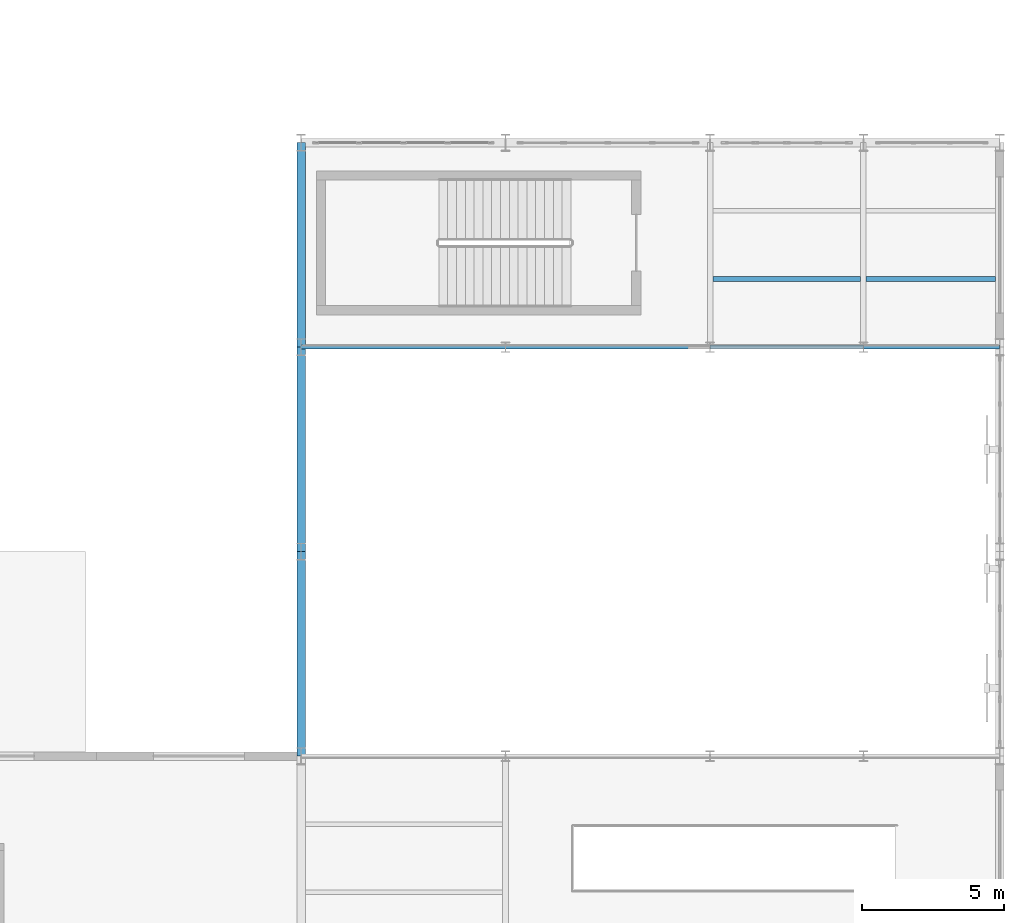
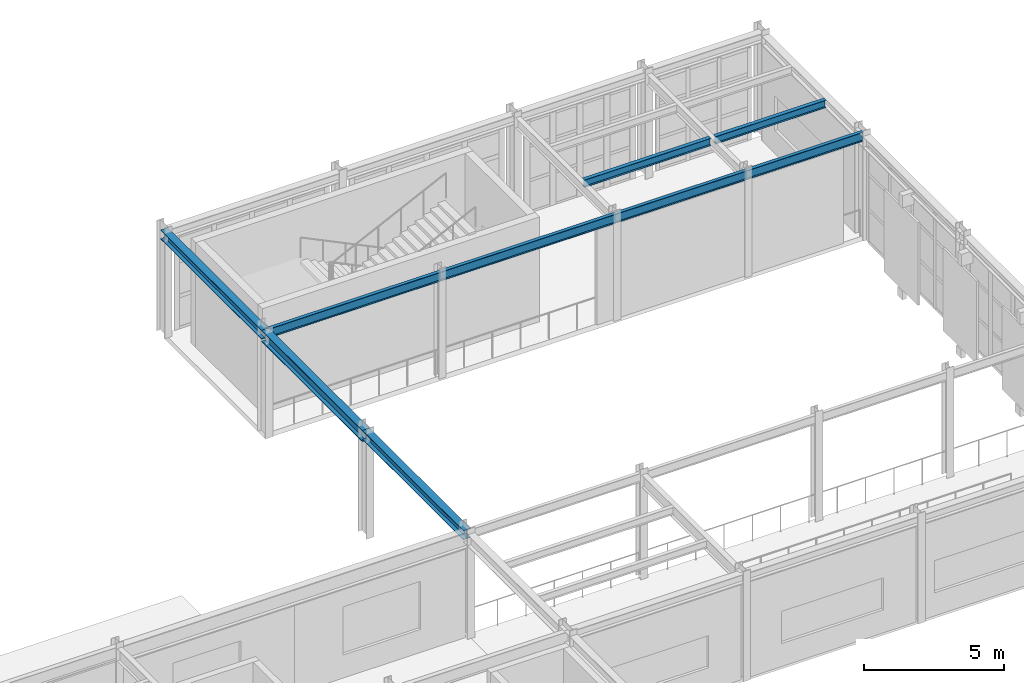
# One storey, part 58 of 121: 9 beams.
"""IFC4 building model written with IfcOpenShell, lengths in metres."""

import ifcopenshell
import ifcopenshell.guid

model = None  # the IFC model being written
_history = None  # IfcOwnerHistory: only IFC2X3 demands one
_inside = {}  # id of a spatial element -> (the spatial element, [elements in it])
_under = {}  # id of a project, library or spatial element -> (it, [spatial elements below it])
_declared = {}  # id of a project -> (the project, [libraries it declares])
_typed = {}  # id of a type object -> (the type object, [elements of that type])
_made_of = {}  # id of a material, layer set ... -> (it, [elements and type objects made of it])


def new_model(schema):
    """Start an empty IFC model of exactly this schema.

    Asked for "IFC4X3", IfcOpenShell would pick the latest addendum, in which some entities
    have other attributes; the version numbers below select the first issue.
    IFC2X3 requires an IfcOwnerHistory on every rooted entity: one is made here for all.
    """
    global model, _history
    if schema == "IFC4X3":
        model = ifcopenshell.file(schema_version=(4, 3, 0, 0))
    else:
        model = ifcopenshell.file(schema=schema)
    _inside.clear()
    _under.clear()
    _declared.clear()
    _typed.clear()
    _made_of.clear()
    _history = None
    if model.schema == "IFC2X3":
        org = make("IfcOrganization", Name="unknown")
        user = make(
            "IfcPersonAndOrganization",
            ThePerson=make("IfcPerson", FamilyName="unknown"),
            TheOrganization=org,
        )
        app = make(
            "IfcApplication",
            ApplicationDeveloper=org,
            Version="unknown",
            ApplicationFullName="unknown",
            ApplicationIdentifier="unknown",
        )
        _history = make(
            "IfcOwnerHistory",
            OwningUser=user,
            OwningApplication=app,
            ChangeAction="ADDED",
            CreationDate=0,
        )
    return model


def make(cls, **values):
    """One entity of the class cls with the attributes given. An attribute that is None is left unset."""
    return model.create_entity(
        cls, **{name: value for name, value in values.items() if value is not None}
    )


def rooted(cls, **values):
    """An entity with a GlobalId (a new one), such as an element, a storey or a relation."""
    return make(cls, GlobalId=ifcopenshell.guid.new(), OwnerHistory=_history, **values)


def si_unit(unit_type, name, prefix=None):
    """IfcSIUnit, for example si_unit("LENGTHUNIT", "METRE", prefix="MILLI")."""
    return make("IfcSIUnit", UnitType=unit_type, Prefix=prefix, Name=name)


def assignment(units):
    """IfcUnitAssignment: the units of a project."""
    return None if units is None else make("IfcUnitAssignment", Units=units)


def point(xyz):
    """IfcCartesianPoint."""
    return None if xyz is None else make("IfcCartesianPoint", Coordinates=xyz)


def direction(xyz):
    """IfcDirection."""
    return None if xyz is None else make("IfcDirection", DirectionRatios=xyz)


def frame(location, z_axis=None, x_axis=None):
    """IfcAxis2Placement3D, a coordinate frame: its origin and axes. An axis left out is left unset."""
    return make(
        "IfcAxis2Placement3D",
        Location=point(location),
        Axis=direction(z_axis),
        RefDirection=direction(x_axis),
    )


def frame_2d(location, x_axis=None):
    """IfcAxis2Placement2D, a coordinate frame in the plane: its origin and x axis."""
    return make(
        "IfcAxis2Placement2D", Location=point(location), RefDirection=direction(x_axis)
    )


def origin():
    """The frame at (0, 0, 0) with its axes left unset."""
    return frame((0.0, 0.0, 0.0))


def origin_2d():
    """The frame at (0, 0) in the plane with its x axis left unset."""
    return frame_2d((0.0, 0.0))


def place(relative_to, where):
    """IfcLocalPlacement: puts the frame where relative to a parent placement (None: the world)."""
    return make(
        "IfcLocalPlacement", PlacementRelTo=relative_to, RelativePlacement=where
    )


def context(
    kind, dimensions, precision=None, world=None, true_north=None, identifier=None
):
    """IfcGeometricRepresentationContext, for example the 3D "Model" context."""
    return make(
        "IfcGeometricRepresentationContext",
        ContextIdentifier=identifier,
        ContextType=kind,
        CoordinateSpaceDimension=dimensions,
        Precision=precision,
        WorldCoordinateSystem=world,
        TrueNorth=true_north,
    )


def subcontext(parent, identifier, kind, view, scale=None):
    """IfcGeometricRepresentationSubContext, for example "Body" below "Model"."""
    return make(
        "IfcGeometricRepresentationSubContext",
        ContextIdentifier=identifier,
        ContextType=kind,
        ParentContext=parent,
        TargetScale=scale,
        TargetView=view,
    )


def project(units=None, contexts=None):
    """IfcProject with its units and contexts."""
    return rooted(
        "IfcProject",
        Name="project",
        RepresentationContexts=contexts,
        UnitsInContext=assignment(units),
    )


def spatial(cls, under=None, at=None, **own):
    """A site, building, storey or space (cls), placed at a placement, below another one or the project."""
    s = rooted(cls, ObjectPlacement=at, **own)
    if under is not None:
        _under.setdefault(under.id(), (under, []))[1].append(s)
    return s


def profile(cls, at=None, kind="AREA", **sizes):
    """A parametric profile (cls). Its sizes go by their IFC names, for example OverallWidth=200.0."""
    return make(cls, ProfileType=kind, Position=at, **sizes)


def i_section(**sizes):
    """IfcIShapeProfileDef."""
    return profile("IfcIShapeProfileDef", **sizes)


def extrude(swept, where, along, depth):
    """IfcExtrudedAreaSolid: the profile swept, set in the frame where, extruded along a direction by depth."""
    return make(
        "IfcExtrudedAreaSolid",
        SweptArea=swept,
        Position=where,
        ExtrudedDirection=direction(along),
        Depth=depth,
    )


def shape(context_of_items, identifier, shape_type, items):
    """IfcShapeRepresentation: the items that make up one representation, for example the "Body"."""
    return make(
        "IfcShapeRepresentation",
        ContextOfItems=context_of_items,
        RepresentationIdentifier=identifier,
        RepresentationType=shape_type,
        Items=items,
    )


def material(Name=None, Category=None):
    """IfcMaterial."""
    return make("IfcMaterial", Name=Name, Category=Category)


def material_profile(
    of_material, cross_section, Name=None, Category=None, Priority=None
):
    """IfcMaterialProfile: a cross section and its material."""
    return make(
        "IfcMaterialProfile",
        Name=Name,
        Material=of_material,
        Profile=cross_section,
        Priority=Priority,
        Category=Category,
    )


def profile_set(profiles, Name=None, composite=None):
    """IfcMaterialProfileSet."""
    return make(
        "IfcMaterialProfileSet",
        Name=Name,
        MaterialProfiles=profiles,
        CompositeProfile=composite,
    )


def made_of(thing, what):
    """Note that an element or type object is made of a material, layer set ...; save() writes the relation."""
    if what is not None:
        _made_of.setdefault(what.id(), (what, []))[1].append(thing)
    return thing


def type_object(cls, material=None, **own):
    """A type object (cls), such as IfcWallType, which elements share."""
    return made_of(rooted(cls, **own), material)


def element(
    cls,
    number,
    at=None,
    inside=None,
    cuts=None,
    type_object=None,
    material=None,
    context=None,
    identifier="Body",
    shape_type=None,
    held_by="IfcProductDefinitionShape",
    body=None,
    shapes=None,
    **own,
):
    """One element of the class cls, such as IfcWall. Its Tag is "e" and its number.

    at: its placement. inside: the storey or other place that contains it. cuts: it is an
    opening in that element (IfcRelVoidsElement). A single representation is given by context,
    identifier, shape_type and body (its items); several are given by shapes. held_by: the class
    of the entity that holds the representations. save() writes the other relations.
    """
    e = rooted(cls, Tag="e%d" % number, ObjectPlacement=at, **own)
    if body is not None:
        shapes = [shape(context, identifier, shape_type, body)]
    if shapes is not None:
        e.Representation = make(held_by, Representations=shapes)
    if inside is not None:
        _inside.setdefault(inside.id(), (inside, []))[1].append(e)
    if cuts is not None:
        rooted(
            "IfcRelVoidsElement", RelatingBuildingElement=cuts, RelatedOpeningElement=e
        )
    if type_object is not None:
        _typed.setdefault(type_object.id(), (type_object, []))[1].append(e)
    return made_of(e, material)


def aggregate(whole, parts):
    """IfcRelAggregates: a whole, such as a stair, and the parts it consists of."""
    return rooted("IfcRelAggregates", RelatingObject=whole, RelatedObjects=parts)


def save(model, path):
    """Write the relations noted so far, then the file.

    IfcRelAggregates (storeys below a building ...), IfcRelContainedInSpatialStructure (elements
    in a storey), IfcRelDefinesByType, IfcRelAssociatesMaterial and IfcRelDeclares: one each for
    every whole, place, type object, material and project.
    """
    for whole, parts in _under.values():
        aggregate(whole, parts)
    for where, things in _inside.values():
        rooted(
            "IfcRelContainedInSpatialStructure",
            RelatedElements=things,
            RelatingStructure=where,
        )
    for kind, things in _typed.values():
        rooted("IfcRelDefinesByType", RelatedObjects=things, RelatingType=kind)
    for what, things in _made_of.values():
        rooted("IfcRelAssociatesMaterial", RelatedObjects=things, RelatingMaterial=what)
    for by, libraries in _declared.values():
        rooted("IfcRelDeclares", RelatingContext=by, RelatedDefinitions=libraries)
    model.write(path)


model = new_model("IFC4")

# Units and contexts
model_context = context("Model", 3, precision=1e-05, world=origin(), true_north=direction((0.0, 1.0)))
body_context = subcontext(model_context, "Body", "Model", "MODEL_VIEW")
ifc_project = project(units=[si_unit("LENGTHUNIT", "METRE"), si_unit("AREAUNIT", "SQUARE_METRE"), si_unit("VOLUMEUNIT", "CUBIC_METRE"), si_unit("PLANEANGLEUNIT", "RADIAN"), si_unit("MASSUNIT", "GRAM", prefix="KILO")], contexts=[model_context])

# Site, building, storey
site_placement = place(None, origin())
site = spatial("IfcSite", under=ifc_project, at=site_placement, CompositionType="ELEMENT")
building_placement = place(site_placement, origin())
building = spatial("IfcBuilding", under=site, at=building_placement, Name="Solvadek Multi-Sports Hall", CompositionType="ELEMENT")
storey_placement = place(building_placement, frame((0.0, 0.0, 4.800048828125)))
storey = spatial("IfcBuildingStorey", under=building, at=storey_placement, Name="L01", CompositionType="ELEMENT", Elevation=4.800048828125)

# Beams
ifc_material = material(Name="Steel E350 (350 MPa)", Category="steel")
ifc_material_profile_1 = material_profile(ifc_material, i_section(OverallWidth=0.139892578125, OverallDepth=0.39990234375, WebThickness=0.0087890625, FlangeThickness=0.01611328125, at=origin_2d()), Name="ISMB 400")
ifc_profile_set_1 = profile_set([ifc_material_profile_1], Name="Steel E350 (350 MPa)")
beam_type_1 = type_object("IfcBeamType", Name="STR-BM-ISMB400", PredefinedType="BEAM", material=ifc_profile_set_1)
for number, where, z_axis, x_axis, name in (
    (1, (136.800048828125, 63.60009765625, 4.35986328125), (1.0, 0.0, 0.0), (0.0, 1.0, 0.0), "L01 Girder B-10 #1042"),
    (2, (144.0, 63.60009765625, 4.35986328125), (1.0, 0.0, 0.0), (0.0, 1.0, 0.0), "L01 Girder B-10 #1043"),
):
    element("IfcBeam", number, at=place(storey_placement, frame(where, z_axis=z_axis, x_axis=x_axis)), inside=storey, type_object=beam_type_1, Name=name, PredefinedType="BEAM", context=body_context, shape_type="SweptSolid", body=[
        extrude(i_section(OverallWidth=0.139892578125, OverallDepth=0.39990234375, WebThickness=0.0087890625, FlangeThickness=0.01611328125, at=origin_2d()), origin(), (0.0, 0.0, 1.0), 7.199951171875),
    ])
beam_1_placement = place(storey_placement, frame((151.199951171875, 63.60009765625, 4.35986328125), z_axis=(1.0, 0.0, 0.0), x_axis=(0.0, 1.0, 0.0)))
element("IfcBeam", 3, at=beam_1_placement, inside=storey, type_object=beam_type_1, Name="L01 Girder B-10 #1044", PredefinedType="BEAM", context=body_context, shape_type="SweptSolid", body=[
    extrude(i_section(OverallWidth=0.139892578125, OverallDepth=0.39990234375, WebThickness=0.0087890625, FlangeThickness=0.01611328125, at=origin_2d()), origin(), (0.0, 0.0, 1.0), 5.400146484375),
])
beam_2_placement = place(storey_placement, frame((156.60009765625, 63.60009765625, 4.35986328125), z_axis=(1.0, 0.0, 0.0), x_axis=(0.0, 1.0, 0.0)))
element("IfcBeam", 4, at=beam_2_placement, inside=storey, type_object=beam_type_1, Name="L01 Girder B-10 #1045", PredefinedType="BEAM", context=body_context, shape_type="SweptSolid", body=[
    extrude(i_section(OverallWidth=0.139892578125, OverallDepth=0.39990234375, WebThickness=0.0087890625, FlangeThickness=0.01611328125, at=origin_2d()), origin(), (0.0, 0.0, 1.0), 4.7998046875),
])
ifc_material_profile_2 = material_profile(ifc_material, i_section(OverallWidth=0.159912109375, OverallDepth=0.330078125, WebThickness=0.007568359375, FlangeThickness=0.011474609375, at=origin_2d()), Name="NPB 330")
ifc_profile_set_2 = profile_set([ifc_material_profile_2], Name="Steel E350 (350 MPa)")
beam_type_2 = type_object("IfcBeamType", Name="STR-JST-NPB330", PredefinedType="JOIST", material=ifc_profile_set_2)
beam_3_placement = place(storey_placement, frame((151.294921875, 66.0, 4.39501953125), z_axis=(1.0, 0.0, 0.0), x_axis=(0.0, 1.0, 0.0)))
element("IfcBeam", 5, at=beam_3_placement, inside=storey, type_object=beam_type_2, Name="L01 Composite Joist J-02 #678", PredefinedType="JOIST", context=body_context, shape_type="SweptSolid", body=[
    extrude(i_section(OverallWidth=0.159912109375, OverallDepth=0.330078125, WebThickness=0.007568359375, FlangeThickness=0.011474609375, at=origin_2d()), origin(), (0.0, 0.0, 1.0), 5.2099609375),
])
beam_4_placement = place(storey_placement, frame((156.695068359375, 66.0, 4.39501953125), z_axis=(1.0, 0.0, 0.0), x_axis=(0.0, 1.0, 0.0)))
element("IfcBeam", 6, at=beam_4_placement, inside=storey, type_object=beam_type_2, Name="L01 Composite Joist J-02 #680", PredefinedType="JOIST", context=body_context, shape_type="SweptSolid", body=[
    extrude(i_section(OverallWidth=0.159912109375, OverallDepth=0.330078125, WebThickness=0.007568359375, FlangeThickness=0.011474609375, at=origin_2d()), origin(), (0.0, 0.0, 1.0), 4.554931640625),
])
ifc_material_profile_3 = material_profile(ifc_material, i_section(OverallWidth=0.300048828125, OverallDepth=0.39990234375, WebThickness=0.013427734375, FlangeThickness=0.02392578125, at=origin_2d()), Name="WPB 400")
ifc_profile_set_3 = profile_set([ifc_material_profile_3], Name="Steel E350 (350 MPa)")
beam_type_3 = type_object("IfcBeamType", Name="STR-SPN-WPB400", PredefinedType="SPANDREL", material=ifc_profile_set_3)
for number, where, z_axis, x_axis, name in (
    (7, (136.800048828125, 49.199951171875, 4.35986328125), (0.0, 1.0, 0.0), (-1.0, 0.0, 0.0), "L01 Girder SP-02 #1299"),
    (8, (136.800048828125, 63.60009765625, 4.35986328125), (0.0, 1.0, 0.0), (-1.0, 0.0, 0.0), "L01 Girder SP-02 #1301"),
):
    element("IfcBeam", number, at=place(storey_placement, frame(where, z_axis=z_axis, x_axis=x_axis)), inside=storey, type_object=beam_type_3, Name=name, PredefinedType="SPANDREL", context=body_context, shape_type="SweptSolid", body=[
        extrude(i_section(OverallWidth=0.300048828125, OverallDepth=0.39990234375, WebThickness=0.013427734375, FlangeThickness=0.02392578125, at=origin_2d()), origin(), (0.0, 0.0, 1.0), 7.199951171875),
    ])
ifc_material_profile_4 = material_profile(ifc_material, i_section(OverallWidth=0.300048828125, OverallDepth=0.5, WebThickness=0.014404296875, FlangeThickness=0.028076171875, at=origin_2d()), Name="WPB 500")
ifc_profile_set_4 = profile_set([ifc_material_profile_4], Name="Steel E350 (350 MPa)")
beam_type_4 = type_object("IfcBeamType", Name="STR-SPN-WPB500", PredefinedType="SPANDREL", material=ifc_profile_set_4)
beam_5_placement = place(storey_placement, frame((136.800048828125, 56.39990234375, 4.31005859375), z_axis=(0.0, 1.0, 0.0), x_axis=(-1.0, 0.0, 0.0)))
element("IfcBeam", 9, at=beam_5_placement, inside=storey, type_object=beam_type_4, Name="L01 Girder SP-01 #1300", PredefinedType="SPANDREL", context=body_context, shape_type="SweptSolid", body=[
    extrude(i_section(OverallWidth=0.300048828125, OverallDepth=0.5, WebThickness=0.014404296875, FlangeThickness=0.028076171875, at=origin_2d()), origin(), (0.0, 0.0, 1.0), 7.2001953125),
])

save(model, "model.ifc")
